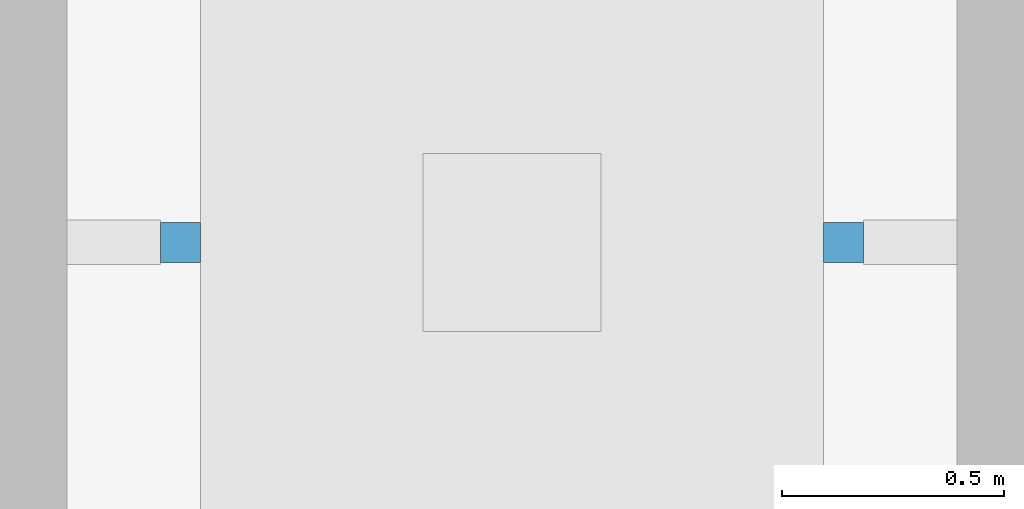
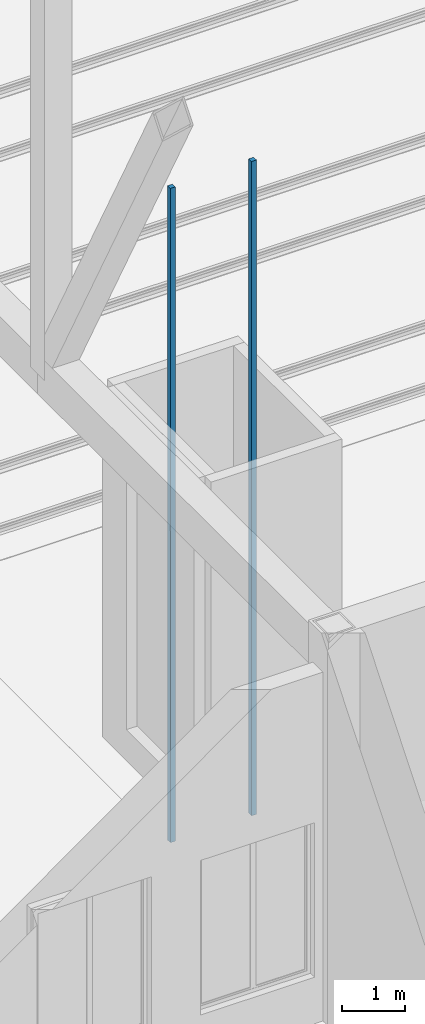
# One storey, part 144 of 250: 2 discrete accessories.
"""IFC4 building model written with IfcOpenShell, lengths in metres."""

from ifc_helpers import new_model, si_unit, direction, frame, origin, origin_2d, place, context, subcontext, project, spatial, rectangle, extrude, material, type_object, element, save


model = new_model("IFC4")

# Units and contexts
model_context = context("Model", 3, precision=1e-05, world=origin(), true_north=direction((0.0, 1.0)))
body_context = subcontext(model_context, "Body", "Model", "MODEL_VIEW")
ifc_project = project(units=[si_unit("LENGTHUNIT", "METRE"), si_unit("AREAUNIT", "SQUARE_METRE"), si_unit("VOLUMEUNIT", "CUBIC_METRE"), si_unit("PLANEANGLEUNIT", "RADIAN"), si_unit("MASSUNIT", "GRAM", prefix="KILO")], contexts=[model_context])

# Site, building, storey
site_placement = place(None, origin())
site = spatial("IfcSite", under=ifc_project, at=site_placement, CompositionType="ELEMENT")
building_placement = place(site_placement, origin())
building = spatial("IfcBuilding", under=site, at=building_placement, Name="Baradari Gate Terminus", CompositionType="ELEMENT")
storey_placement = place(building_placement, origin())
storey = spatial("IfcBuildingStorey", under=building, at=storey_placement, Name="L00", CompositionType="ELEMENT", Elevation=0.0)

# Discrete accessories
ifc_material = material(Name="Steel S355", Category="steel")
discrete_accessory_type = type_object("IfcDiscreteAccessoryType", Name="Lift guide rail GR-L1 90x90", PredefinedType="BRACKET", material=ifc_material)
for number, where, z_axis, x_axis, name in (
    (1, (73.2548828125, 43.35009765625, -1.60009765625), (0.0, 0.0, 1.0), (1.0, 0.0, 0.0), "Lift guide rail LP1 1"),
    (2, (74.7451171875, 43.35009765625, -1.60009765625), (0.0, 0.0, 1.0), (1.0, 0.0, 0.0), "Lift guide rail LP1 2"),
):
    element("IfcDiscreteAccessory", number, at=place(storey_placement, frame(where, z_axis=z_axis, x_axis=x_axis)), inside=storey, type_object=discrete_accessory_type, Name=name, PredefinedType="BRACKET", context=body_context, shape_type="SweptSolid", body=[
        extrude(rectangle(XDim=0.090087890625, YDim=0.090087890625, at=origin_2d()), origin(), (0.0, 0.0, 1.0), 12.699951171875),
    ])

save(model, "model.ifc")
